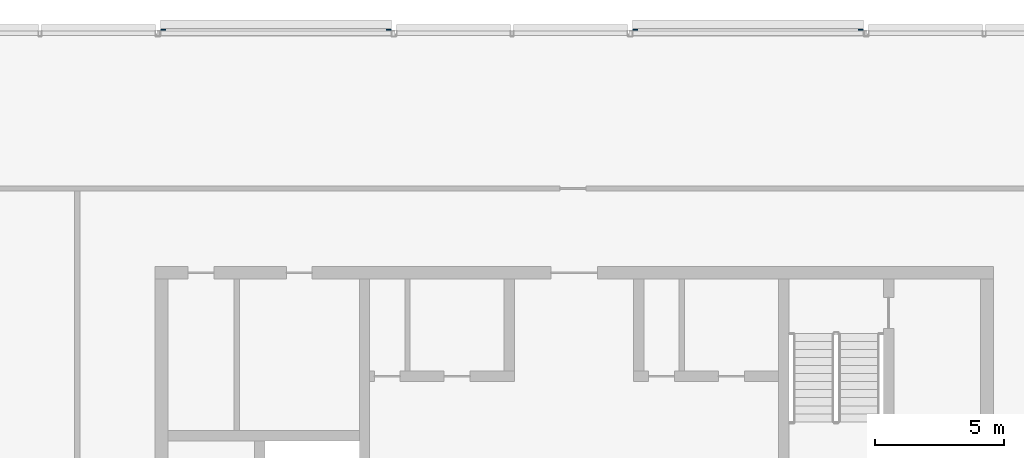
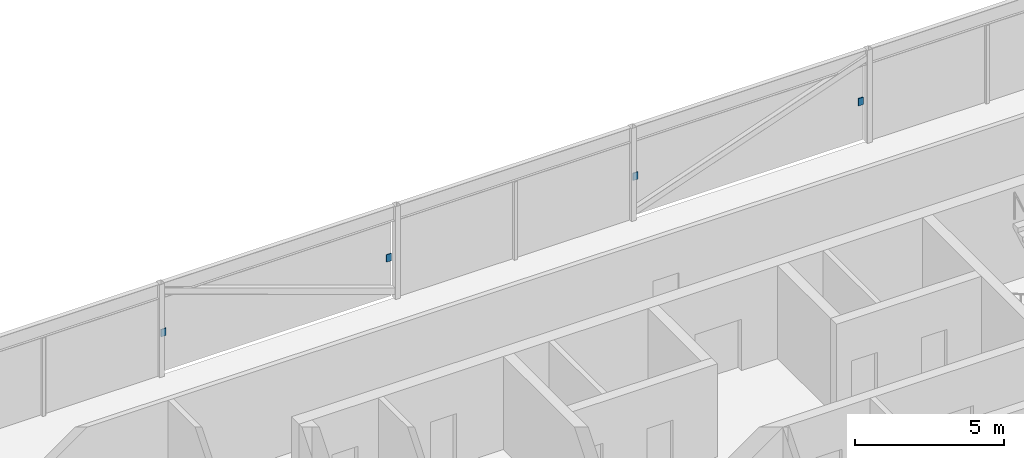
# One storey, part 23 of 28: 4 discrete accessories.
"""IFC4 building model written with IfcOpenShell, lengths in metres."""

from ifc_helpers import new_model, si_unit, direction, frame, origin, origin_2d, place, context, subcontext, project, spatial, rectangle, extrude, material, type_object, element, save


model = new_model("IFC4")

# Units and contexts
model_context = context("Model", 3, precision=1e-05, world=origin(), true_north=direction((0.0, 1.0)))
body_context = subcontext(model_context, "Body", "Model", "MODEL_VIEW")
ifc_project = project(units=[si_unit("LENGTHUNIT", "METRE"), si_unit("AREAUNIT", "SQUARE_METRE"), si_unit("VOLUMEUNIT", "CUBIC_METRE"), si_unit("PLANEANGLEUNIT", "RADIAN"), si_unit("MASSUNIT", "GRAM", prefix="KILO")], contexts=[model_context])

# Site, building, storey
site_placement = place(None, origin())
site = spatial("IfcSite", under=ifc_project, at=site_placement, CompositionType="ELEMENT")
building_placement = place(site_placement, origin())
building = spatial("IfcBuilding", under=site, at=building_placement, Name="Madar Terraces", CompositionType="ELEMENT")
storey_placement = place(building_placement, frame((0.0, 0.0, 305.89990234375)))
storey = spatial("IfcBuildingStorey", under=building, at=storey_placement, Name="L79", CompositionType="ELEMENT", Elevation=305.89990234375)

# Discrete accessories
ifc_material = material(Name="Steel, galvanised", Category="steel")
discrete_accessory_type = type_object("IfcDiscreteAccessoryType", Name="Louvre bank bracket", PredefinedType="BRACKET", material=ifc_material)
for number, where, z_axis, x_axis, name in (
    (1, (42.2783203125, 46.94189453125, 1.44921875), (0.0, 0.0, 1.0), (-1.0, 0.0, 0.0), "Louvre bank bracket"),
    (2, (33.5615234375, 46.94189453125, 1.44921875), (0.0, 0.0, 1.0), (-1.0, 0.0, 0.0), "Louvre bank bracket"),
    (3, (24.038330078125, 46.94189453125, 1.44921875), (0.0, 0.0, 1.0), (-1.0, 0.0, 0.0), "Louvre bank bracket"),
    (4, (15.321533203125, 46.94189453125, 1.44921875), (0.0, 0.0, 1.0), (-1.0, 0.0, 0.0), "Louvre bank bracket"),
):
    element("IfcDiscreteAccessory", number, at=place(storey_placement, frame(where, z_axis=z_axis, x_axis=x_axis)), inside=storey, type_object=discrete_accessory_type, Name=name, PredefinedType="BRACKET", context=body_context, shape_type="SweptSolid", body=[
        extrude(rectangle(XDim=0.199951171875, YDim=0.030029296875, at=origin_2d()), origin(), (0.0, 0.0, 1.0), 0.300048828125),
    ])

save(model, "model.ifc")
